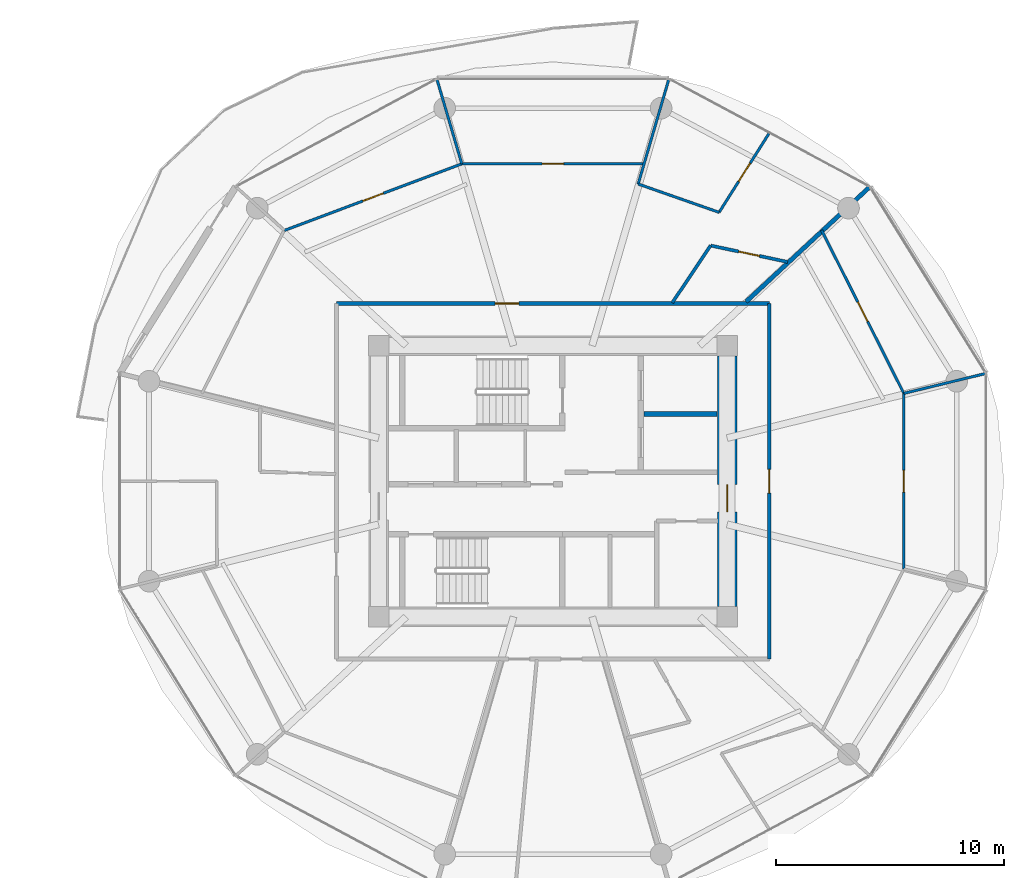
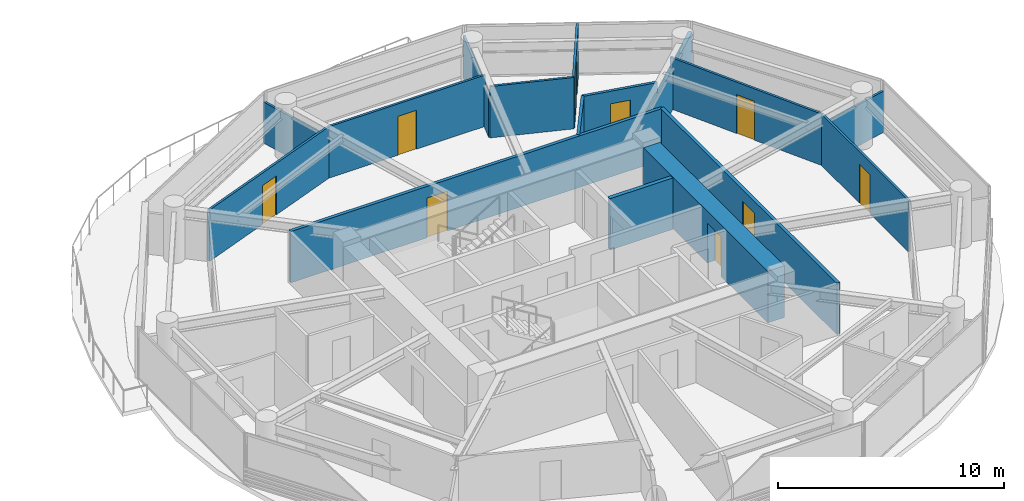
# One storey, part 20 of 27: 16 walls, 9 doors, 9 openings.
"""IFC4 building model written with IfcOpenShell, lengths in metres."""

from ifc_helpers import new_model, si_unit, direction, frame, frame_2d, origin, place, context, subcontext, project, spatial, rectangle, extrude, source, transform, mapped, material, layer, layer_set, type_object, type_shapes, element, fill, save


model = new_model("IFC4")

# Units and contexts
model_context = context("Model", 3, precision=1e-05, world=origin(), true_north=direction((0.0, 1.0)))
body_context = subcontext(model_context, "Body", "Model", "MODEL_VIEW")
ifc_project = project(units=[si_unit("LENGTHUNIT", "METRE"), si_unit("AREAUNIT", "SQUARE_METRE"), si_unit("VOLUMEUNIT", "CUBIC_METRE"), si_unit("PLANEANGLEUNIT", "RADIAN"), si_unit("MASSUNIT", "GRAM", prefix="KILO")], contexts=[model_context])

# Site, building, storey
site_placement = place(None, origin())
site = spatial("IfcSite", under=ifc_project, at=site_placement, CompositionType="ELEMENT")
building_placement = place(site_placement, origin())
building = spatial("IfcBuilding", under=site, at=building_placement, Name="Norrkilde Senior Care Towers", CompositionType="ELEMENT")
storey_placement = place(building_placement, frame((0.0, 0.0, 61.25)))
storey = spatial("IfcBuildingStorey", under=building, at=storey_placement, Name="L18", CompositionType="ELEMENT", Elevation=61.25)

# Wall, opening, door
ifc_material_1 = material(Name="Concrete C60/75", Category="concrete")
ifc_layer_1 = layer(ifc_material_1, 0.85009765625)
ifc_layer_set_1 = layer_set([ifc_layer_1], Name="Concrete C60/75")
wall_type_1 = type_object("IfcWallType", Name="Core Shear Wall Z1 850", PredefinedType="SHEAR", material=ifc_layer_set_1)
shared_shape_1 = source(origin(), body_context, "Body", "SweptSolid", [
    extrude(rectangle(XDim=11.0, YDim=0.85009765625, at=frame_2d((5.5, 0.0))), origin(), (0.0, 0.0, 1.0), 2.7900390625),
])
type_shapes(wall_type_1, [shared_shape_1])
wall_1_placement = place(storey_placement, frame((35.64990234375, 5.5, 0.0), z_axis=(0.0, 0.0, 1.0), x_axis=(0.0, -1.0, 0.0)))
wall_1 = element("IfcWall", 1, at=wall_1_placement, inside=storey, type_object=wall_type_1, Name="L18 Core E East Shear Wall", PredefinedType="SHEAR", context=body_context, shape_type="MappedRepresentation", body=[
    mapped(shared_shape_1, transform((0.0, 0.0, 0.0), x_axis=(1.0, 0.0, 0.0), y_axis=(0.0, 1.0, 0.0), z_axis=(0.0, 0.0, 1.0), scale=1.0)),
])
opening_1_placement = place(wall_1_placement, frame((5.64990234375, 0.0, 0.0)))
opening_1 = element("IfcOpeningElement", 2, at=opening_1_placement, cuts=wall_1, Name="Opening D-04", PredefinedType="OPENING", context=body_context, shape_type="SweptSolid", body=[
    extrude(rectangle(XDim=1.199951171875, YDim=2.14990234375, at=frame_2d((0.60009765625, 1.074951171875))), frame((0.0, 0.43505859375, 0.0), z_axis=(0.0, -1.0, 0.0), x_axis=(1.0, 0.0, 0.0)), (0.0, 0.0, 1.0), 0.8701171875),
])
ifc_material_2 = material(Name="Galvanised Painted Steel", Category="steel")
door_type_1 = type_object("IfcDoorType", Name="Firefighting Lobby Fire Door 1200x2150", OperationType="NOTDEFINED", PredefinedType="DOOR", material=ifc_material_2)
shared_shape_2 = source(origin(), body_context, "Body", "SweptSolid", [
    extrude(rectangle(XDim=1.199951171875, YDim=2.14990234375, at=frame_2d((0.60009765625, 1.074951171875))), frame((0.0, 0.02490234375, 0.0), z_axis=(0.0, -1.0, 0.0), x_axis=(1.0, 0.0, 0.0)), (0.0, 0.0, 1.0), 0.050048828125),
])
type_shapes(door_type_1, [shared_shape_2])
door_1_placement = place(opening_1_placement, frame((1.199951171875, 0.0, 0.0), z_axis=(0.0, 0.0, 1.0), x_axis=(-1.0, 0.0, 0.0)))
door_1 = element("IfcDoor", 3, at=door_1_placement, inside=storey, type_object=door_type_1, Name="L18 Core E East Portal Door", OperationType="SINGLE_SWING_RIGHT", OverallHeight=2.14990234375, OverallWidth=1.199951171875, PredefinedType="DOOR", context=body_context, shape_type="MappedRepresentation", body=[
    mapped(shared_shape_2, transform((0.0, 0.0, 0.0), x_axis=(1.0, 0.0, 0.0), y_axis=(0.0, 1.0, 0.0), z_axis=(0.0, 0.0, 1.0), scale=1.0)),
])
fill(opening_1, door_1)

# Wall
ifc_material_3 = material(Name="Concrete C45/55", Category="concrete")
ifc_layer_2 = layer(ifc_material_3, 0.199951171875)
ifc_layer_set_2 = layer_set([ifc_layer_2], Name="Concrete C45/55")
wall_type_2 = type_object("IfcWallType", Name="Shaft Division and Plant Partition 200", PredefinedType="PARTITIONING", material=ifc_layer_set_2)
shared_shape_3 = source(origin(), body_context, "Body", "SweptSolid", [
    extrude(rectangle(XDim=3.199951171875, YDim=0.199951171875, at=frame_2d((1.60009765625, 0.0))), origin(), (0.0, 0.0, 1.0), 2.77490234375),
])
type_shapes(wall_type_2, [shared_shape_3])
wall_2_placement = place(storey_placement, frame((32.0, 2.949951171875, 0.0), z_axis=(0.0, 0.0, 1.0), x_axis=(1.0, 0.0, 0.0)))
element("IfcWall", 4, at=wall_2_placement, inside=storey, type_object=wall_type_2, Name="WL-INT-L18-E-FFLDIV", PredefinedType="PARTITIONING", context=body_context, shape_type="MappedRepresentation", body=[
    mapped(shared_shape_3, transform((0.0, 0.0, 0.0), x_axis=(1.0, 0.0, 0.0), y_axis=(0.0, 1.0, 0.0), z_axis=(0.0, 0.0, 1.0), scale=1.0)),
])

# Wall, opening, door
ifc_material_4 = material(Name="Gypsum Acoustic Board")
ifc_layer_3 = layer(ifc_material_4, 0.1650390625)
ifc_layer_set_3 = layer_set([ifc_layer_3], Name="Gypsum Acoustic Board")
wall_type_3 = type_object("IfcWallType", Name="Corridor Rated Partition 165", PredefinedType="PARTITIONING", material=ifc_layer_set_3)
shared_shape_4 = source(origin(), body_context, "Body", "SweptSolid", [
    extrude(rectangle(XDim=19.0, YDim=0.1650390625, at=frame_2d((9.5, 0.0))), origin(), (0.0, 0.0, 1.0), 2.77490234375),
])
wall_3_placement = place(storey_placement, frame((18.5, 7.800048828125, 0.0), z_axis=(0.0, 0.0, 1.0), x_axis=(1.0, 0.0, 0.0)))
wall_3 = element("IfcWall", 5, at=wall_3_placement, inside=storey, type_object=wall_type_3, Name="WL-INT-L18-E-CRW-N-0", PredefinedType="PARTITIONING", context=body_context, shape_type="MappedRepresentation", body=[
    mapped(shared_shape_4, transform((0.0, 0.0, 0.0), x_axis=(1.0, 0.0, 0.0), y_axis=(0.0, 1.0, 0.0), z_axis=(0.0, 0.0, 1.0), scale=1.0)),
])
opening_2_placement = place(wall_3_placement, frame((6.961181640625, 0.0, 0.0)))
opening_2 = element("IfcOpeningElement", 6, at=opening_2_placement, cuts=wall_3, Name="Opening D-06", PredefinedType="OPENING", context=body_context, shape_type="SweptSolid", body=[
    extrude(rectangle(XDim=1.050048828125, YDim=2.14990234375, at=frame_2d((0.52490234375, 1.074951171875))), frame((0.0, 0.092529296875, 0.0), z_axis=(0.0, -1.0, 0.0), x_axis=(1.0, 0.0, 0.0)), (0.0, 0.0, 1.0), 0.18505859375),
])
ifc_material_5 = material(Name="Nordic Ash Timber", Category="wood")
door_type_2 = type_object("IfcDoorType", Name="Apartment Entrance Fire Door 1050x2150", OperationType="NOTDEFINED", PredefinedType="DOOR", material=ifc_material_5)
shared_shape_5 = source(origin(), body_context, "Body", "SweptSolid", [
    extrude(rectangle(XDim=1.050048828125, YDim=2.14990234375, at=frame_2d((0.52490234375, 1.074951171875))), frame((0.0, 0.02490234375, 0.0), z_axis=(0.0, -1.0, 0.0), x_axis=(1.0, 0.0, 0.0)), (0.0, 0.0, 1.0), 0.050048828125),
])
type_shapes(door_type_2, [shared_shape_5])
door_2_placement = place(opening_2_placement, frame((1.050048828125, 0.0, 0.0), z_axis=(0.0, 0.0, 1.0), x_axis=(-1.0, 0.0, 0.0)))
door_2 = element("IfcDoor", 7, at=door_2_placement, inside=storey, type_object=door_type_2, Name="Apartment 18D Entrance Door", OperationType="SINGLE_SWING_RIGHT", OverallHeight=2.14990234375, OverallWidth=1.050048828125, PredefinedType="DOOR", context=body_context, shape_type="MappedRepresentation", body=[
    mapped(shared_shape_5, transform((0.0, 0.0, 0.0), x_axis=(1.0, 0.0, 0.0), y_axis=(0.0, 1.0, 0.0), z_axis=(0.0, 0.0, 1.0), scale=1.0)),
])
fill(opening_2, door_2)

shared_shape_6 = source(origin(), body_context, "Body", "SweptSolid", [
    extrude(rectangle(XDim=15.60009765625, YDim=0.1650390625, at=frame_2d((7.800048828125, 0.0))), origin(), (0.0, 0.0, 1.0), 2.77490234375),
])
type_shapes(wall_type_3, [shared_shape_4, shared_shape_6])
wall_4_placement = place(storey_placement, frame((37.5, 7.800048828125, 0.0), z_axis=(0.0, 0.0, 1.0), x_axis=(0.0, -1.0, 0.0)))
wall_4 = element("IfcWall", 8, at=wall_4_placement, inside=storey, type_object=wall_type_3, Name="WL-INT-L18-E-CRW-E-0", PredefinedType="PARTITIONING", context=body_context, shape_type="MappedRepresentation", body=[
    mapped(shared_shape_6, transform((0.0, 0.0, 0.0), x_axis=(1.0, 0.0, 0.0), y_axis=(0.0, 1.0, 0.0), z_axis=(0.0, 0.0, 1.0), scale=1.0)),
])
opening_3_placement = place(wall_4_placement, frame((7.27490234375, 0.0, 0.0)))
opening_3 = element("IfcOpeningElement", 9, at=opening_3_placement, cuts=wall_4, Name="Opening D-06", PredefinedType="OPENING", context=body_context, shape_type="SweptSolid", body=[
    extrude(rectangle(XDim=1.050048828125, YDim=2.14990234375, at=frame_2d((0.52490234375, 1.074951171875))), frame((0.0, 0.092529296875, 0.0), z_axis=(0.0, -1.0, 0.0), x_axis=(1.0, 0.0, 0.0)), (0.0, 0.0, 1.0), 0.18505859375),
])
door_3_placement = place(opening_3_placement, frame((1.050048828125, 0.0, 0.0), z_axis=(0.0, 0.0, 1.0), x_axis=(-1.0, 0.0, 0.0)))
door_3 = element("IfcDoor", 10, at=door_3_placement, inside=storey, type_object=door_type_2, Name="Apartment 18C Entrance Door", OperationType="SINGLE_SWING_RIGHT", OverallHeight=2.14990234375, OverallWidth=1.050048828125, PredefinedType="DOOR", context=body_context, shape_type="MappedRepresentation", body=[
    mapped(shared_shape_5, transform((0.0, 0.0, 0.0), x_axis=(1.0, 0.0, 0.0), y_axis=(0.0, 1.0, 0.0), z_axis=(0.0, 0.0, 1.0), scale=1.0)),
])
fill(opening_3, door_3)

ifc_layer_4 = layer(ifc_material_4, 0.114990234375)
ifc_layer_set_4 = layer_set([ifc_layer_4], Name="Gypsum Acoustic Board")
wall_type_4 = type_object("IfcWallType", Name="Internal Room Partition 115", PredefinedType="PARTITIONING", material=ifc_layer_set_4)
shared_shape_7 = source(origin(), body_context, "Body", "SweptSolid", [
    extrude(rectangle(XDim=7.99267578125, YDim=0.114990234375, at=frame_2d((3.996337890625, 0.0))), origin(), (0.0, 0.0, 1.0), 2.77490234375),
])
wall_5_placement = place(storey_placement, frame((31.996337890625, 13.927001953125, 0.0), z_axis=(0.0, 0.0, 1.0), x_axis=(-1.0, 0.0, 0.0)))
wall_5 = element("IfcWall", 11, at=wall_5_placement, inside=storey, type_object=wall_type_4, Name="WL-INT-L18-E-UBC-01-1", PredefinedType="PARTITIONING", context=body_context, shape_type="MappedRepresentation", body=[
    mapped(shared_shape_7, transform((0.0, 0.0, 0.0), x_axis=(1.0, 0.0, 0.0), y_axis=(0.0, 1.0, 0.0), z_axis=(0.0, 0.0, 1.0), scale=1.0)),
])
opening_4_placement = place(wall_5_placement, frame((3.521484375, 0.0, 0.0)))
opening_4 = element("IfcOpeningElement", 12, at=opening_4_placement, cuts=wall_5, Name="Opening D-07", PredefinedType="OPENING", context=body_context, shape_type="SweptSolid", body=[
    extrude(rectangle(XDim=0.949951171875, YDim=2.10009765625, at=frame_2d((0.47509765625, 1.050048828125))), frame((0.0, 0.0673828125, 0.0), z_axis=(0.0, -1.0, 0.0), x_axis=(1.0, 0.0, 0.0)), (0.0, 0.0, 1.0), 0.135009765625),
])
door_type_3 = type_object("IfcDoorType", Name="Internal Suite Bedroom Door 950x2100", OperationType="NOTDEFINED", PredefinedType="DOOR", material=ifc_material_5)
shared_shape_8 = source(origin(), body_context, "Body", "SweptSolid", [
    extrude(rectangle(XDim=0.949951171875, YDim=2.10009765625, at=frame_2d((0.47509765625, 1.050048828125))), frame((0.0, 0.02490234375, 0.0), z_axis=(0.0, -1.0, 0.0), x_axis=(1.0, 0.0, 0.0)), (0.0, 0.0, 1.0), 0.050048828125),
])
type_shapes(door_type_3, [shared_shape_8])
door_4_placement = place(opening_4_placement, origin())
door_4 = element("IfcDoor", 13, at=door_4_placement, inside=storey, type_object=door_type_3, Name="Apartment 18D Bedroom 1 Door", OperationType="SINGLE_SWING_LEFT", OverallHeight=2.10009765625, OverallWidth=0.949951171875, PredefinedType="DOOR", context=body_context, shape_type="MappedRepresentation", body=[
    mapped(shared_shape_8, transform((0.0, 0.0, 0.0), x_axis=(1.0, 0.0, 0.0), y_axis=(0.0, 1.0, 0.0), z_axis=(0.0, 0.0, 1.0), scale=1.0)),
])
fill(opening_4, door_4)

# Wall
ifc_layer_5 = layer(ifc_material_4, 0.139892578125)
ifc_layer_set_5 = layer_set([ifc_layer_5], Name="Gypsum Acoustic Board")
wall_type_5 = type_object("IfcWallType", Name="En-suite Wet Room Wall 140", PredefinedType="PARTITIONING", material=ifc_layer_set_5)
shared_shape_9 = source(origin(), body_context, "Body", "SweptSolid", [
    extrude(rectangle(XDim=3.025146484375, YDim=0.139892578125, at=frame_2d((1.5126953125, 0.0))), origin(), (0.0, 0.0, 1.0), 2.77490234375),
])
wall_6_placement = place(storey_placement, frame((33.23974609375, 7.830078125, 0.0), z_axis=(0.0, 0.0, 1.0), x_axis=(0.556189165904, 0.831055721195, 0.0)))
element("IfcWall", 14, at=wall_6_placement, inside=storey, type_object=wall_type_5, Name="WL-INT-L18-E-UBTS-01", PredefinedType="PARTITIONING", context=body_context, shape_type="MappedRepresentation", body=[
    mapped(shared_shape_9, transform((0.0, 0.0, 0.0), x_axis=(1.0, 0.0, 0.0), y_axis=(0.0, 1.0, 0.0), z_axis=(0.0, 0.0, 1.0), scale=1.0)),
])

# Wall, opening, door
shared_shape_10 = source(origin(), body_context, "Body", "SweptSolid", [
    extrude(rectangle(XDim=3.458984375, YDim=0.139892578125, at=frame_2d((1.7294921875, 0.0))), origin(), (0.0, 0.0, 1.0), 2.77490234375),
])
type_shapes(wall_type_5, [shared_shape_9, shared_shape_10])
wall_7_placement = place(storey_placement, frame((34.92236328125, 10.34423828125, 0.0), z_axis=(0.0, 0.0, 1.0), x_axis=(0.978006468578, -0.208574560815, 0.0)))
wall_7 = element("IfcWall", 15, at=wall_7_placement, inside=storey, type_object=wall_type_5, Name="WL-INT-L18-E-UBTF-01", PredefinedType="PARTITIONING", context=body_context, shape_type="MappedRepresentation", body=[
    mapped(shared_shape_10, transform((0.0, 0.0, 0.0), x_axis=(1.0, 0.0, 0.0), y_axis=(0.0, 1.0, 0.0), z_axis=(0.0, 0.0, 1.0), scale=1.0)),
])
opening_5_placement = place(wall_7_placement, frame((1.26953125, 0.0, 0.0)))
opening_5 = element("IfcOpeningElement", 16, at=opening_5_placement, cuts=wall_7, Name="Opening D-08", PredefinedType="OPENING", context=body_context, shape_type="SweptSolid", body=[
    extrude(rectangle(XDim=0.919921875, YDim=2.10009765625, at=frame_2d((0.4599609375, 1.050048828125))), frame((0.0, 0.079833984375, 0.0), z_axis=(0.0, -1.0, 0.0), x_axis=(1.0, 0.0, 0.0)), (0.0, 0.0, 1.0), 0.159912109375),
])
door_type_4 = type_object("IfcDoorType", Name="Accessible Wet Room Door 920x2100", OperationType="NOTDEFINED", PredefinedType="DOOR", material=ifc_material_5)
shared_shape_11 = source(origin(), body_context, "Body", "SweptSolid", [
    extrude(rectangle(XDim=0.919921875, YDim=2.10009765625, at=frame_2d((0.4599609375, 1.050048828125))), frame((0.0, 0.02490234375, 0.0), z_axis=(0.0, -1.0, 0.0), x_axis=(1.0, 0.0, 0.0)), (0.0, 0.0, 1.0), 0.050048828125),
])
type_shapes(door_type_4, [shared_shape_11])
door_5_placement = place(opening_5_placement, origin())
door_5 = element("IfcDoor", 17, at=door_5_placement, inside=storey, type_object=door_type_4, Name="Apartment 18D Bathroom Door", OperationType="SINGLE_SWING_LEFT", OverallHeight=2.10009765625, OverallWidth=0.919921875, PredefinedType="DOOR", context=body_context, shape_type="MappedRepresentation", body=[
    mapped(shared_shape_11, transform((0.0, 0.0, 0.0), x_axis=(1.0, 0.0, 0.0), y_axis=(0.0, 1.0, 0.0), z_axis=(0.0, 0.0, 1.0), scale=1.0)),
])
fill(opening_5, door_5)

shared_shape_12 = source(origin(), body_context, "Body", "SweptSolid", [
    extrude(rectangle(XDim=4.150390625, YDim=0.114990234375, at=frame_2d((2.0751953125, 0.0))), origin(), (0.0, 0.0, 1.0), 2.77490234375),
])
wall_8_placement = place(storey_placement, frame((35.296142578125, 11.800537109375, 0.0), z_axis=(0.0, 0.0, 1.0), x_axis=(0.534475378192, 0.845184045109, 0.0)))
wall_8 = element("IfcWall", 18, at=wall_8_placement, inside=storey, type_object=wall_type_4, Name="WL-INT-L18-E-UKTS-01", PredefinedType="PARTITIONING", context=body_context, shape_type="MappedRepresentation", body=[
    mapped(shared_shape_12, transform((0.0, 0.0, 0.0), x_axis=(1.0, 0.0, 0.0), y_axis=(0.0, 1.0, 0.0), z_axis=(0.0, 0.0, 1.0), scale=1.0)),
])
opening_6_placement = place(wall_8_placement, frame((1.60009765625, 0.0, 0.0)))
opening_6 = element("IfcOpeningElement", 19, at=opening_6_placement, cuts=wall_8, Name="Opening D-07", PredefinedType="OPENING", context=body_context, shape_type="SweptSolid", body=[
    extrude(rectangle(XDim=0.949951171875, YDim=2.10009765625, at=frame_2d((0.47509765625, 1.050048828125))), frame((0.0, 0.0673828125, 0.0), z_axis=(0.0, -1.0, 0.0), x_axis=(1.0, 0.0, 0.0)), (0.0, 0.0, 1.0), 0.135009765625),
])
door_6_placement = place(opening_6_placement, frame((0.949951171875, 0.0, 0.0), z_axis=(0.0, 0.0, 1.0), x_axis=(-1.0, 0.0, 0.0)))
door_6 = element("IfcDoor", 20, at=door_6_placement, inside=storey, type_object=door_type_3, Name="Apartment 18D Kitchen Door", OperationType="SINGLE_SWING_RIGHT", OverallHeight=2.10009765625, OverallWidth=0.949951171875, PredefinedType="DOOR", context=body_context, shape_type="MappedRepresentation", body=[
    mapped(shared_shape_8, transform((0.0, 0.0, 0.0), x_axis=(1.0, 0.0, 0.0), y_axis=(0.0, 1.0, 0.0), z_axis=(0.0, 0.0, 1.0), scale=1.0)),
])
fill(opening_6, door_6)

# Wall
shared_shape_13 = source(origin(), body_context, "Body", "SweptSolid", [
    extrude(rectangle(XDim=3.7646484375, YDim=0.114990234375, at=frame_2d((1.88232421875, 0.0))), origin(), (0.0, 0.0, 1.0), 2.77490234375),
])
wall_9_placement = place(storey_placement, frame((35.296142578125, 11.800537109375, 0.0), z_axis=(0.0, 0.0, 1.0), x_axis=(-0.943788572669, 0.330549739222, 0.0)))
element("IfcWall", 21, at=wall_9_placement, inside=storey, type_object=wall_type_4, Name="WL-INT-L18-E-UKTF-01", PredefinedType="PARTITIONING", context=body_context, shape_type="MappedRepresentation", body=[
    mapped(shared_shape_13, transform((0.0, 0.0, 0.0), x_axis=(1.0, 0.0, 0.0), y_axis=(0.0, 1.0, 0.0), z_axis=(0.0, 0.0, 1.0), scale=1.0)),
])

# Wall, opening, door
shared_shape_14 = source(origin(), body_context, "Body", "SweptSolid", [
    extrude(rectangle(XDim=8.017822265625, YDim=0.114990234375, at=frame_2d((4.0087890625, 0.0))), origin(), (0.0, 0.0, 1.0), 2.77490234375),
])
wall_10_placement = place(storey_placement, frame((43.404052734375, 3.854248046875, 0.0), z_axis=(0.0, 0.0, 1.0), x_axis=(-0.450134355233, 0.89296084026, 0.0)))
wall_10 = element("IfcWall", 22, at=wall_10_placement, inside=storey, type_object=wall_type_4, Name="WL-INT-L18-E-UBC-09-3", PredefinedType="PARTITIONING", context=body_context, shape_type="MappedRepresentation", body=[
    mapped(shared_shape_14, transform((0.0, 0.0, 0.0), x_axis=(1.0, 0.0, 0.0), y_axis=(0.0, 1.0, 0.0), z_axis=(0.0, 0.0, 1.0), scale=1.0)),
])
opening_7_placement = place(wall_10_placement, frame((3.533935546875, 0.0, 0.0)))
opening_7 = element("IfcOpeningElement", 23, at=opening_7_placement, cuts=wall_10, Name="Opening D-07", PredefinedType="OPENING", context=body_context, shape_type="SweptSolid", body=[
    extrude(rectangle(XDim=0.949951171875, YDim=2.10009765625, at=frame_2d((0.47509765625, 1.050048828125))), frame((0.0, 0.0673828125, 0.0), z_axis=(0.0, -1.0, 0.0), x_axis=(1.0, 0.0, 0.0)), (0.0, 0.0, 1.0), 0.135009765625),
])
door_7_placement = place(opening_7_placement, origin())
door_7 = element("IfcDoor", 24, at=door_7_placement, inside=storey, type_object=door_type_3, Name="Apartment 18C Bedroom 3 Door", OperationType="SINGLE_SWING_LEFT", OverallHeight=2.10009765625, OverallWidth=0.949951171875, PredefinedType="DOOR", context=body_context, shape_type="MappedRepresentation", body=[
    mapped(shared_shape_8, transform((0.0, 0.0, 0.0), x_axis=(1.0, 0.0, 0.0), y_axis=(0.0, 1.0, 0.0), z_axis=(0.0, 0.0, 1.0), scale=1.0)),
])
fill(opening_7, door_7)

shared_shape_15 = source(origin(), body_context, "Body", "SweptSolid", [
    extrude(rectangle(XDim=8.31982421875, YDim=0.114990234375, at=frame_2d((4.159912109375, 0.0))), origin(), (0.0, 0.0, 1.0), 2.77490234375),
])
wall_11_placement = place(storey_placement, frame((24.002685546875, 13.93017578125, 0.0), z_axis=(0.0, 0.0, 1.0), x_axis=(-0.936180763098, -0.351518959382, 0.0)))
wall_11 = element("IfcWall", 25, at=wall_11_placement, inside=storey, type_object=wall_type_4, Name="WL-INT-L18-E-UBC-01-2", PredefinedType="PARTITIONING", context=body_context, shape_type="MappedRepresentation", body=[
    mapped(shared_shape_15, transform((0.0, 0.0, 0.0), x_axis=(1.0, 0.0, 0.0), y_axis=(0.0, 1.0, 0.0), z_axis=(0.0, 0.0, 1.0), scale=1.0)),
])
opening_8_placement = place(wall_11_placement, frame((3.684814453125, 0.0, 0.0)))
opening_8 = element("IfcOpeningElement", 26, at=opening_8_placement, cuts=wall_11, Name="Opening D-07", PredefinedType="OPENING", context=body_context, shape_type="SweptSolid", body=[
    extrude(rectangle(XDim=0.949951171875, YDim=2.10009765625, at=frame_2d((0.47509765625, 1.050048828125))), frame((0.0, 0.0673828125, 0.0), z_axis=(0.0, -1.0, 0.0), x_axis=(1.0, 0.0, 0.0)), (0.0, 0.0, 1.0), 0.135009765625),
])
door_8_placement = place(opening_8_placement, frame((0.949951171875, 0.0, 0.0), z_axis=(0.0, 0.0, 1.0), x_axis=(-1.0, 0.0, 0.0)))
door_8 = element("IfcDoor", 27, at=door_8_placement, inside=storey, type_object=door_type_3, Name="Apartment 18D Bedroom 2 Door", OperationType="SINGLE_SWING_RIGHT", OverallHeight=2.10009765625, OverallWidth=0.949951171875, PredefinedType="DOOR", context=body_context, shape_type="MappedRepresentation", body=[
    mapped(shared_shape_8, transform((0.0, 0.0, 0.0), x_axis=(1.0, 0.0, 0.0), y_axis=(0.0, 1.0, 0.0), z_axis=(0.0, 0.0, 1.0), scale=1.0)),
])
fill(opening_8, door_8)

# Walls
ifc_layer_6 = layer(ifc_material_4, 0.18994140625)
ifc_layer_set_6 = layer_set([ifc_layer_6], Name="Gypsum Acoustic Board")
wall_type_6 = type_object("IfcWallType", Name="Unit Demising Acoustic Wall 190", PredefinedType="PARTITIONING", material=ifc_layer_set_6)
shared_shape_16 = source(origin(), body_context, "Body", "SweptSolid", [
    extrude(rectangle(XDim=7.4345703125, YDim=0.18994140625, at=frame_2d((3.71728515625, 0.0))), origin(), (0.0, 0.0, 1.0), 2.22509765625),
])
type_shapes(wall_type_6, [shared_shape_16])
wall_12_placement = place(storey_placement, frame((36.48291015625, 7.8798828125, 0.0), z_axis=(0.0, 0.0, 1.0), x_axis=(0.732651956848, 0.680603489652, 0.0)))
element("IfcWall", 28, at=wall_12_placement, inside=storey, type_object=wall_type_6, Name="WL-INT-L18-E-DEM-01-0", PredefinedType="PARTITIONING", context=body_context, shape_type="MappedRepresentation", body=[
    mapped(shared_shape_16, transform((0.0, 0.0, 0.0), x_axis=(1.0, 0.0, 0.0), y_axis=(0.0, 1.0, 0.0), z_axis=(0.0, 0.0, 1.0), scale=1.0)),
])
shared_shape_17 = source(origin(), body_context, "Body", "SweptSolid", [
    extrude(rectangle(XDim=4.8291015625, YDim=0.114990234375, at=frame_2d((2.41455078125, 0.0))), origin(), (0.0, 0.0, 1.0), 2.22509765625),
])
wall_13_placement = place(storey_placement, frame((31.742431640625, 13.041748046875, 0.0), z_axis=(0.0, 0.0, 1.0), x_axis=(0.280838556456, 0.959755023539, 0.0)))
element("IfcWall", 29, at=wall_13_placement, inside=storey, type_object=wall_type_4, Name="WL-INT-L18-E-UBR-01-1", PredefinedType="PARTITIONING", context=body_context, shape_type="MappedRepresentation", body=[
    mapped(shared_shape_17, transform((0.0, 0.0, 0.0), x_axis=(1.0, 0.0, 0.0), y_axis=(0.0, 1.0, 0.0), z_axis=(0.0, 0.0, 1.0), scale=1.0)),
])
shared_shape_18 = source(origin(), body_context, "Body", "SweptSolid", [
    extrude(rectangle(XDim=3.90478515625, YDim=0.114990234375, at=frame_2d((1.952392578125, 0.0))), origin(), (0.0, 0.0, 1.0), 2.22509765625),
])
wall_14_placement = place(storey_placement, frame((24.002685546875, 13.93017578125, 0.0), z_axis=(0.0, 0.0, 1.0), x_axis=(-0.282037692958, 0.959403324859, 0.0)))
element("IfcWall", 30, at=wall_14_placement, inside=storey, type_object=wall_type_4, Name="WL-INT-L18-E-UBR-01-2", PredefinedType="PARTITIONING", context=body_context, shape_type="MappedRepresentation", body=[
    mapped(shared_shape_18, transform((0.0, 0.0, 0.0), x_axis=(1.0, 0.0, 0.0), y_axis=(0.0, 1.0, 0.0), z_axis=(0.0, 0.0, 1.0), scale=1.0)),
])

# Wall, opening, door
shared_shape_19 = source(origin(), body_context, "Body", "SweptSolid", [
    extrude(rectangle(XDim=7.70947265625, YDim=0.114990234375, at=frame_2d((3.854736328125, 0.0))), origin(), (0.0, 0.0, 1.0), 2.77490234375),
])
wall_15_placement = place(storey_placement, frame((43.40625, -3.854736328125, 0.0), z_axis=(0.0, 0.0, 1.0), x_axis=(0.0, 1.0, 0.0)))
wall_15 = element("IfcWall", 31, at=wall_15_placement, inside=storey, type_object=wall_type_4, Name="WL-INT-L18-E-UBC-09-2", PredefinedType="PARTITIONING", context=body_context, shape_type="MappedRepresentation", body=[
    mapped(shared_shape_19, transform((0.0, 0.0, 0.0), x_axis=(1.0, 0.0, 0.0), y_axis=(0.0, 1.0, 0.0), z_axis=(0.0, 0.0, 1.0), scale=1.0)),
])
opening_9_placement = place(wall_15_placement, frame((3.379638671875, 0.0, 0.0)))
opening_9 = element("IfcOpeningElement", 32, at=opening_9_placement, cuts=wall_15, Name="Opening D-07", PredefinedType="OPENING", context=body_context, shape_type="SweptSolid", body=[
    extrude(rectangle(XDim=0.949951171875, YDim=2.10009765625, at=frame_2d((0.47509765625, 1.050048828125))), frame((0.0, 0.0673828125, 0.0), z_axis=(0.0, -1.0, 0.0), x_axis=(1.0, 0.0, 0.0)), (0.0, 0.0, 1.0), 0.135009765625),
])
door_9_placement = place(opening_9_placement, frame((0.949951171875, 0.0, 0.0), z_axis=(0.0, 0.0, 1.0), x_axis=(-1.0, 0.0, 0.0)))
door_9 = element("IfcDoor", 33, at=door_9_placement, inside=storey, type_object=door_type_3, Name="Apartment 18C Bedroom 2 Door", OperationType="SINGLE_SWING_RIGHT", OverallHeight=2.10009765625, OverallWidth=0.949951171875, PredefinedType="DOOR", context=body_context, shape_type="MappedRepresentation", body=[
    mapped(shared_shape_8, transform((0.0, 0.0, 0.0), x_axis=(1.0, 0.0, 0.0), y_axis=(0.0, 1.0, 0.0), z_axis=(0.0, 0.0, 1.0), scale=1.0)),
])
fill(opening_9, door_9)

# Wall
shared_shape_20 = source(origin(), body_context, "Body", "SweptSolid", [
    extrude(rectangle(XDim=3.73046875, YDim=0.114990234375, at=frame_2d((1.865234375, 0.0))), origin(), (0.0, 0.0, 1.0), 2.22509765625),
])
type_shapes(wall_type_4, [shared_shape_7, shared_shape_12, shared_shape_13, shared_shape_14, shared_shape_15, shared_shape_17, shared_shape_18, shared_shape_19, shared_shape_20])
wall_16_placement = place(storey_placement, frame((43.404052734375, 3.854248046875, 0.0), z_axis=(0.0, 0.0, 1.0), x_axis=(0.971644038568, 0.236448434791, 0.0)))
element("IfcWall", 34, at=wall_16_placement, inside=storey, type_object=wall_type_4, Name="WL-INT-L18-E-UBR-09-3", PredefinedType="PARTITIONING", context=body_context, shape_type="MappedRepresentation", body=[
    mapped(shared_shape_20, transform((0.0, 0.0, 0.0), x_axis=(1.0, 0.0, 0.0), y_axis=(0.0, 1.0, 0.0), z_axis=(0.0, 0.0, 1.0), scale=1.0)),
])

save(model, "model.ifc")
